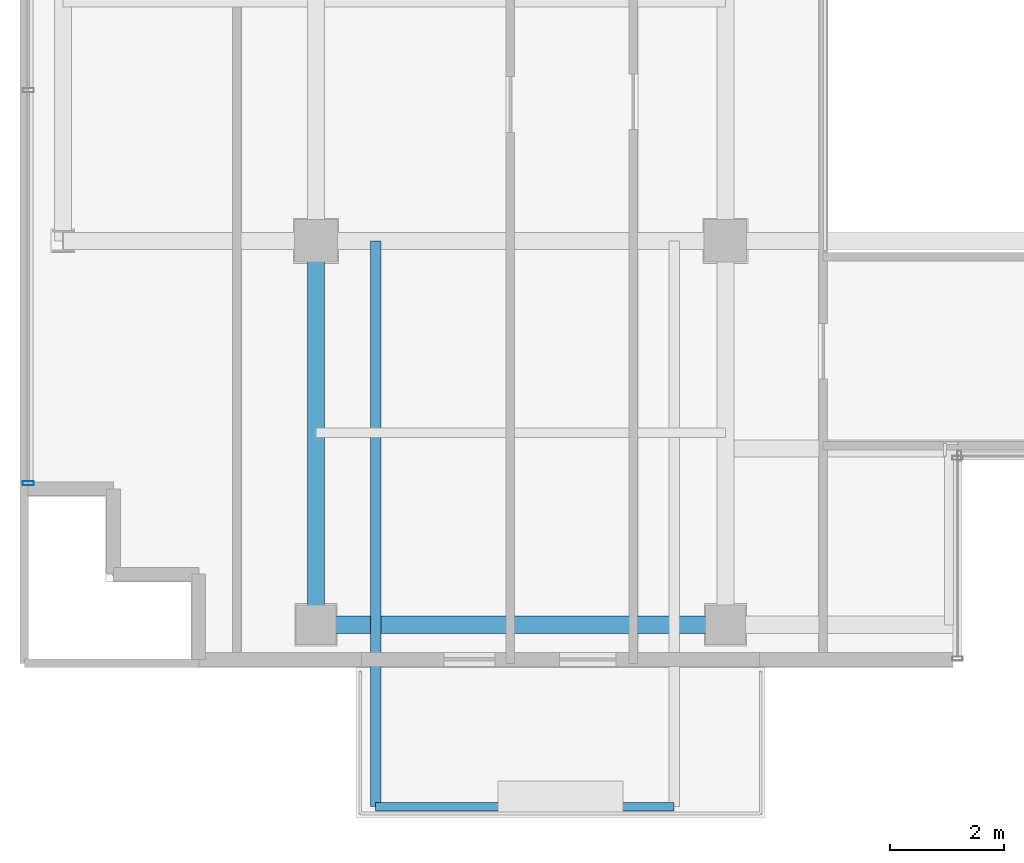
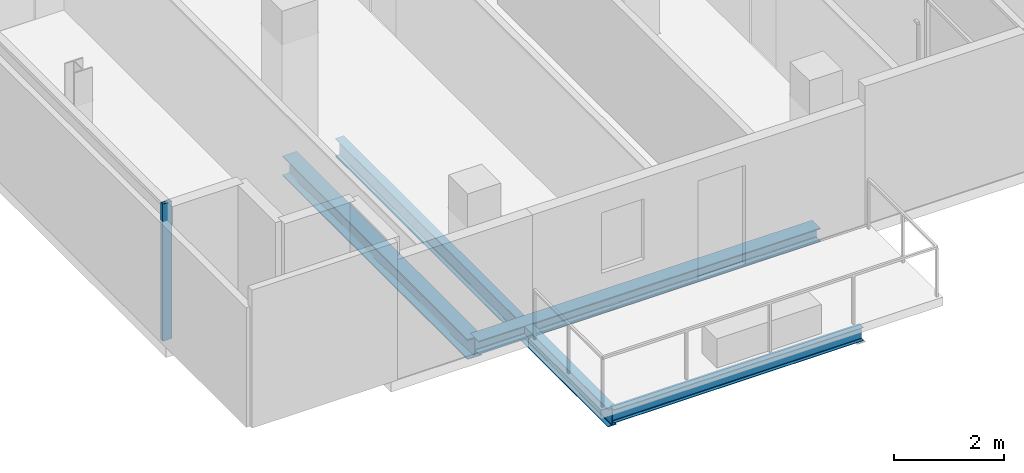
# One storey, part 2 of 22: 4 beams, 1 member, 1 element without a shape of its own.
"""IFC4 building model written with IfcOpenShell, lengths in metres."""

from ifc_helpers import new_model, si_unit, direction, frame, origin, origin_2d, place, context, subcontext, project, spatial, hollow_rectangle, i_section, extrude, source, transform, mapped, material, layer, layer_set, material_profile, profile_set, type_object, element, aggregate, save


model = new_model("IFC4")

# Units and contexts
model_context = context("Model", 3, precision=1e-05, world=origin(), true_north=direction((0.0, 1.0)))
body_context = subcontext(model_context, "Body", "Model", "MODEL_VIEW")
ifc_project = project(units=[si_unit("LENGTHUNIT", "METRE"), si_unit("AREAUNIT", "SQUARE_METRE"), si_unit("VOLUMEUNIT", "CUBIC_METRE"), si_unit("PLANEANGLEUNIT", "RADIAN"), si_unit("MASSUNIT", "GRAM", prefix="KILO")], contexts=[model_context])

# Site, building, storey
site_placement = place(None, origin())
site = spatial("IfcSite", under=ifc_project, at=site_placement, CompositionType="ELEMENT")
building_placement = place(site_placement, origin())
building = spatial("IfcBuilding", under=site, at=building_placement, Name="Zarnakvel Exchange Tower", CompositionType="ELEMENT")
storey_placement = place(building_placement, frame((0.0, 0.0, 238.60009765625)))
storey = spatial("IfcBuildingStorey", under=building, at=storey_placement, Name="L67", CompositionType="ELEMENT", Elevation=238.60009765625)

# Beams
ifc_material_1 = material(Name="Steel S355", Category="steel")
ifc_material_profile_1 = material_profile(ifc_material_1, i_section(OverallWidth=0.179931640625, OverallDepth=0.39990234375, WebThickness=0.008544921875, FlangeThickness=0.013427734375, FilletRadius=0.02099609375, at=origin_2d()))
ifc_profile_set_1 = profile_set([ifc_material_profile_1], Name="Steel S355")
beam_type_1 = type_object("IfcBeamType", Name="B-06", PredefinedType="JOIST", material=ifc_profile_set_1)
beam_1_placement = place(storey_placement, frame((-13.35009765625, -9.60009765625, -0.425048828125), z_axis=(0.0, -1.0, 0.0), x_axis=(1.0, 0.0, 0.0)))
element("IfcBeam", 1, at=beam_1_placement, inside=storey, type_object=beam_type_1, Name="L67 Continuous Back-Spanned Balcony Beam W", PredefinedType="JOIST", context=body_context, shape_type="SweptSolid", body=[
    extrude(i_section(OverallWidth=0.179931640625, OverallDepth=0.39990234375, WebThickness=0.008544921875, FlangeThickness=0.013427734375, FilletRadius=0.02099609375, at=origin_2d()), origin(), (0.0, 0.0, 1.0), 9.949951171875),
])
ifc_material_profile_2 = material_profile(ifc_material_1, i_section(OverallWidth=0.14990234375, OverallDepth=0.300048828125, WebThickness=0.007080078125, FlangeThickness=0.0107421875, FilletRadius=0.014892578125, at=origin_2d()))
ifc_profile_set_2 = profile_set([ifc_material_profile_2], Name="Steel S355")
beam_type_2 = type_object("IfcBeamType", Name="B-08", PredefinedType="JOIST", material=ifc_profile_set_2)
beam_2_placement = place(storey_placement, frame((-13.35009765625, -19.550048828125, -0.375), z_axis=(1.0, 0.0, 0.0), x_axis=(0.0, 1.0, 0.0)))
element("IfcBeam", 2, at=beam_2_placement, inside=storey, type_object=beam_type_2, Name="L67 Balcony Edge Beam", PredefinedType="JOIST", context=body_context, shape_type="SweptSolid", body=[
    extrude(i_section(OverallWidth=0.14990234375, OverallDepth=0.300048828125, WebThickness=0.007080078125, FlangeThickness=0.0107421875, FilletRadius=0.014892578125, at=origin_2d()), origin(), (0.0, 0.0, 1.0), 5.25),
])
ifc_material_profile_3 = material_profile(ifc_material_1, i_section(OverallWidth=0.300048828125, OverallDepth=0.449951171875, WebThickness=0.013916015625, FlangeThickness=0.02587890625, FilletRadius=0.027099609375, at=origin_2d()))
ifc_profile_set_3 = profile_set([ifc_material_profile_3], Name="Steel S355")
beam_type_3 = type_object("IfcBeamType", Name="G-07", PredefinedType="BEAM", material=ifc_profile_set_3)
beam_3_placement = place(storey_placement, frame((-14.39990234375, -16.35009765625, -0.4501953125), z_axis=(0.0, 1.0, 0.0), x_axis=(-1.0, 0.0, 0.0)))
element("IfcBeam", 3, at=beam_3_placement, inside=storey, type_object=beam_type_3, Name="L67 Tower N-S Frame Beam", PredefinedType="BEAM", context=body_context, shape_type="SweptSolid", body=[
    extrude(i_section(OverallWidth=0.300048828125, OverallDepth=0.449951171875, WebThickness=0.013916015625, FlangeThickness=0.02587890625, FilletRadius=0.027099609375, at=origin_2d()), origin(), (0.0, 0.0, 1.0), 6.75),
])
ifc_material_profile_4 = material_profile(ifc_material_1, i_section(OverallWidth=0.300048828125, OverallDepth=0.300048828125, WebThickness=0.010986328125, FlangeThickness=0.01904296875, FilletRadius=0.027099609375, at=origin_2d()))
ifc_profile_set_4 = profile_set([ifc_material_profile_4], Name="Steel S355")
beam_type_4 = type_object("IfcBeamType", Name="SP-03", PredefinedType="SPANDREL", material=ifc_profile_set_4)
beam_4_placement = place(storey_placement, frame((-14.39990234375, -16.35009765625, -0.375), z_axis=(1.0, 0.0, 0.0), x_axis=(0.0, 1.0, 0.0)))
element("IfcBeam", 4, at=beam_4_placement, inside=storey, type_object=beam_type_4, Name="L67 Tower E-W Frame Beam", PredefinedType="SPANDREL", context=body_context, shape_type="SweptSolid", body=[
    extrude(i_section(OverallWidth=0.300048828125, OverallDepth=0.300048828125, WebThickness=0.010986328125, FlangeThickness=0.01904296875, FilletRadius=0.027099609375, at=origin_2d()), origin(), (0.0, 0.0, 1.0), 7.199951171875),
])

# Curtain wall, member
ifc_material_2 = material(Name="Architectural Bronze Anodised Aluminium", Category="aluminium")
ifc_layer = layer(ifc_material_2, 0.199951171875)
ifc_layer_set = layer_set([ifc_layer], Name="Architectural Bronze Anodised Aluminium")
curtain_wall_type = type_object("IfcCurtainWallType", Name="CW-04", PredefinedType="NOTDEFINED", material=ifc_layer_set)
curtain_wall_placement = place(storey_placement, origin())
curtain_wall = element("IfcCurtainWall", 5, at=curtain_wall_placement, inside=storey, type_object=curtain_wall_type, Name="L67 Curtain Wall CW-L67-W1 (CW-04)", PredefinedType="NOTDEFINED")
ifc_material_profile_5 = material_profile(ifc_material_2, hollow_rectangle(XDim=0.199951171875, YDim=0.074951171875, WallThickness=0.0048828125, at=origin_2d()))
ifc_profile_set_5 = profile_set([ifc_material_profile_5], Name="Architectural Bronze Anodised Aluminium")
member_type = type_object("IfcMemberType", Name="CWM-04", PredefinedType="MULLION", material=ifc_profile_set_5)
shared_shape = source(origin(), body_context, "Body", "SweptSolid", [
    extrude(hollow_rectangle(XDim=0.199951171875, YDim=0.074951171875, WallThickness=0.0048828125, at=origin_2d()), origin(), (0.0, 0.0, 1.0), 3.054931640625),
])
member_placement = place(storey_placement, frame((-19.4599609375, -13.862548828125, 0.0), z_axis=(0.0, 0.0, 1.0), x_axis=(-1.0, 0.0, 0.0)))
member = element("IfcMember", 6, at=member_placement, type_object=member_type, Name="CW-04 mullion 1", PredefinedType="MULLION", context=body_context, shape_type="MappedRepresentation", body=[
    mapped(shared_shape, transform((0.0, 0.0, 0.0), x_axis=(1.0, 0.0, 0.0), y_axis=(0.0, 1.0, 0.0), z_axis=(0.0, 0.0, 1.0), scale=1.0)),
])
aggregate(curtain_wall, [member])

save(model, "model.ifc")
